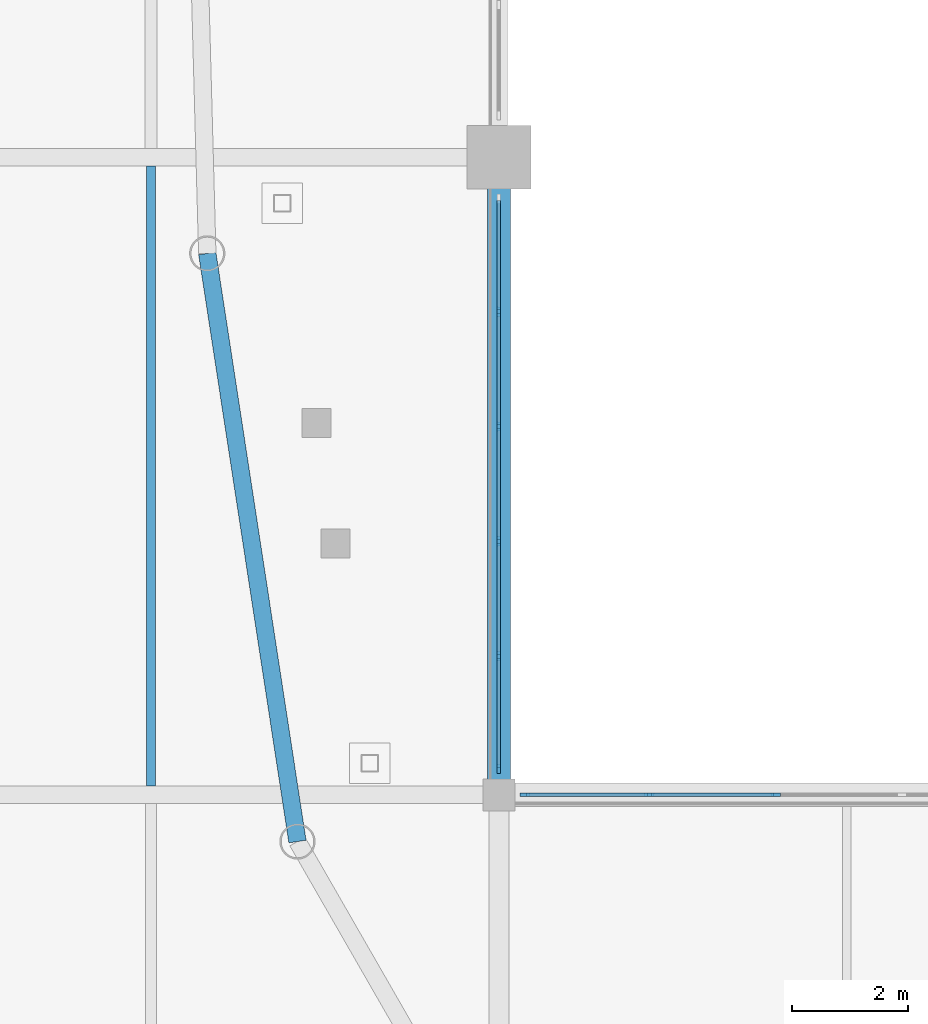
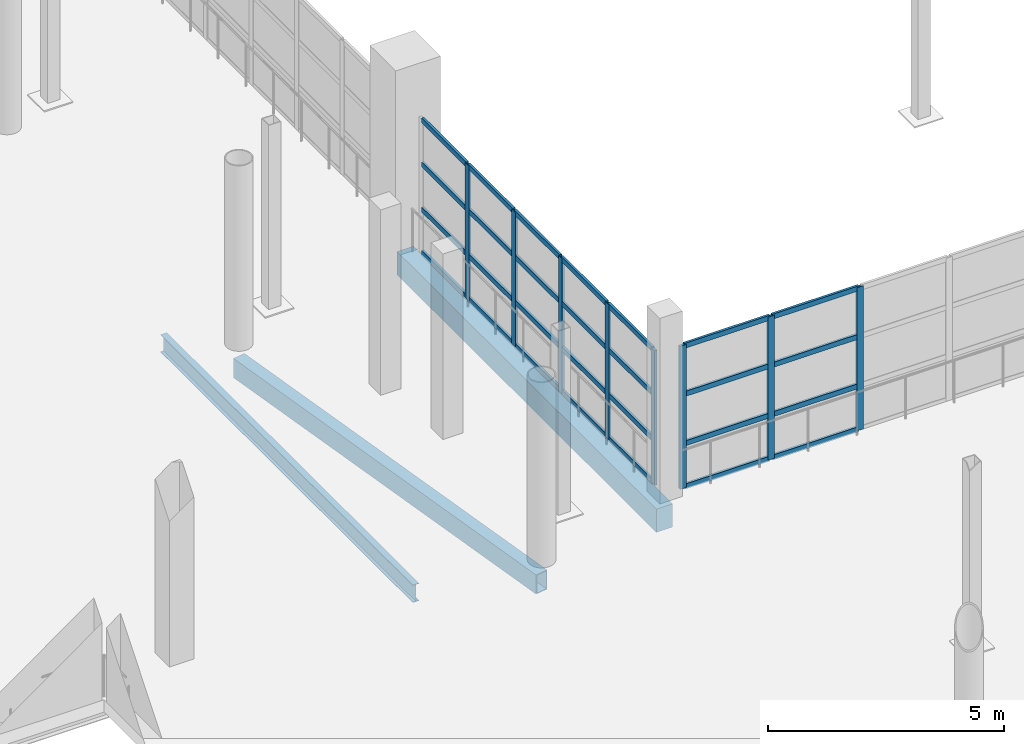
# One storey, part 25 of 143: 36 members, 3 beams, 2 elements without a shape of their own.
"""IFC4 building model written with IfcOpenShell, lengths in metres."""

from ifc_helpers import new_model, si_unit, direction, frame, origin, origin_2d, place, context, subcontext, project, spatial, rectangle, hollow_rectangle, i_section, extrude, material, material_profile, profile_set, type_object, element, aggregate, save


model = new_model("IFC4")

# Units and contexts
model_context = context("Model", 3, precision=1e-05, world=origin(), true_north=direction((0.0, 1.0)))
body_context = subcontext(model_context, "Body", "Model", "MODEL_VIEW")
ifc_project = project(units=[si_unit("LENGTHUNIT", "METRE"), si_unit("AREAUNIT", "SQUARE_METRE"), si_unit("VOLUMEUNIT", "CUBIC_METRE"), si_unit("PLANEANGLEUNIT", "RADIAN"), si_unit("MASSUNIT", "GRAM", prefix="KILO")], contexts=[model_context])

# Site, building, storey
site_placement = place(None, origin())
site = spatial("IfcSite", under=ifc_project, at=site_placement, CompositionType="ELEMENT")
building_placement = place(site_placement, origin())
building = spatial("IfcBuilding", under=site, at=building_placement, Name="Luwafu Chhajja Arena", CompositionType="ELEMENT")
storey_placement = place(building_placement, frame((0.0, 0.0, 5.39990234375)))
storey = spatial("IfcBuildingStorey", under=building, at=storey_placement, Name="L01", CompositionType="ELEMENT", Elevation=5.39990234375)

# Curtain wall, members
ifc_material_1 = material(Name="Anodised bronze aluminium", Category="aluminium")
curtain_wall_type = type_object("IfcCurtainWallType", Name="Bowl Concourse Chord Curtain Wall", PredefinedType="USERDEFINED", material=ifc_material_1)
curtain_wall_1_placement = place(storey_placement, origin())
curtain_wall_1 = element("IfcCurtainWall", 1, at=curtain_wall_1_placement, inside=storey, type_object=curtain_wall_type, Name="L01 Bowl Viewing Curtain Wall CWR-L01-01", ObjectType="CURTAIN WALL", PredefinedType="USERDEFINED")
ifc_material_profile_1 = material_profile(ifc_material_1, rectangle(XDim=0.06005859375, YDim=0.159912109375, at=origin_2d()), Name="CWM 60x160")
ifc_profile_set_1 = profile_set([ifc_material_profile_1], Name="Anodised bronze aluminium")
member_type_1 = type_object("IfcMemberType", Name="Bronze Curtain Wall Mullion 60x160", PredefinedType="MULLION", material=ifc_profile_set_1)
member_1_placement = place(storey_placement, frame((58.445068359375, 22.0, 0.0), z_axis=(0.0, 0.0, 1.0), x_axis=(0.0, 1.0, 0.0)))
member_1 = element("IfcMember", 2, at=member_1_placement, type_object=member_type_1, Name="CW-01 mullion 1", PredefinedType="MULLION", context=body_context, shape_type="SweptSolid", body=[
    extrude(rectangle(XDim=0.06005859375, YDim=0.159912109375, at=origin_2d()), origin(), (0.0, 0.0, 1.0), 3.70654296875),
])
member_2_placement = place(storey_placement, frame((60.593994140625, 22.0, 0.0), z_axis=(0.0, 0.0, 1.0), x_axis=(0.0, 1.0, 0.0)))
member_2 = element("IfcMember", 3, at=member_2_placement, type_object=member_type_1, Name="CW-01 mullion 2", PredefinedType="MULLION", context=body_context, shape_type="SweptSolid", body=[
    extrude(rectangle(XDim=0.06005859375, YDim=0.159912109375, at=origin_2d()), origin(), (0.0, 0.0, 1.0), 3.70654296875),
])
member_3_placement = place(storey_placement, frame((62.77294921875, 22.0, 0.0), z_axis=(0.0, 0.0, 1.0), x_axis=(0.0, 1.0, 0.0)))
member_3 = element("IfcMember", 4, at=member_3_placement, type_object=member_type_1, Name="CW-01 mullion 3", PredefinedType="MULLION", context=body_context, shape_type="SweptSolid", body=[
    extrude(rectangle(XDim=0.06005859375, YDim=0.159912109375, at=origin_2d()), origin(), (0.0, 0.0, 1.0), 3.70654296875),
])

curtain_wall_2_placement = place(storey_placement, origin())
curtain_wall_2 = element("IfcCurtainWall", 5, at=curtain_wall_2_placement, inside=storey, type_object=curtain_wall_type, Name="L01 Bowl Viewing Curtain Wall CWR-L01-15", ObjectType="CURTAIN WALL", PredefinedType="USERDEFINED")
member_4_placement = place(storey_placement, frame((58.0, 22.445068359375, 0.0), z_axis=(0.0, 0.0, 1.0), x_axis=(-1.0, 0.0, 0.0)))
member_4 = element("IfcMember", 6, at=member_4_placement, type_object=member_type_1, Name="CW-01 mullion 1", PredefinedType="MULLION", context=body_context, shape_type="SweptSolid", body=[
    extrude(rectangle(XDim=0.06005859375, YDim=0.159912109375, at=origin_2d()), origin(), (0.0, 0.0, 1.0), 3.489990234375),
])
member_5_placement = place(storey_placement, frame((58.0, 24.39404296875, 0.0), z_axis=(0.0, 0.0, 1.0), x_axis=(-1.0, 0.0, 0.0)))
member_5 = element("IfcMember", 7, at=member_5_placement, type_object=member_type_1, Name="CW-01 mullion 2", PredefinedType="MULLION", context=body_context, shape_type="SweptSolid", body=[
    extrude(rectangle(XDim=0.06005859375, YDim=0.159912109375, at=origin_2d()), origin(), (0.0, 0.0, 1.0), 3.489990234375),
])
member_6_placement = place(storey_placement, frame((58.0, 26.373046875, 0.0), z_axis=(0.0, 0.0, 1.0), x_axis=(-1.0, 0.0, 0.0)))
member_6 = element("IfcMember", 8, at=member_6_placement, type_object=member_type_1, Name="CW-01 mullion 3", PredefinedType="MULLION", context=body_context, shape_type="SweptSolid", body=[
    extrude(rectangle(XDim=0.06005859375, YDim=0.159912109375, at=origin_2d()), origin(), (0.0, 0.0, 1.0), 3.489990234375),
])
member_7_placement = place(storey_placement, frame((58.0, 28.35205078125, 0.0), z_axis=(0.0, 0.0, 1.0), x_axis=(-1.0, 0.0, 0.0)))
member_7 = element("IfcMember", 9, at=member_7_placement, type_object=member_type_1, Name="CW-01 mullion 4", PredefinedType="MULLION", context=body_context, shape_type="SweptSolid", body=[
    extrude(rectangle(XDim=0.06005859375, YDim=0.159912109375, at=origin_2d()), origin(), (0.0, 0.0, 1.0), 3.489990234375),
])
member_8_placement = place(storey_placement, frame((58.0, 30.3310546875, 0.0), z_axis=(0.0, 0.0, 1.0), x_axis=(-1.0, 0.0, 0.0)))
member_8 = element("IfcMember", 10, at=member_8_placement, type_object=member_type_1, Name="CW-01 mullion 5", PredefinedType="MULLION", context=body_context, shape_type="SweptSolid", body=[
    extrude(rectangle(XDim=0.06005859375, YDim=0.159912109375, at=origin_2d()), origin(), (0.0, 0.0, 1.0), 3.489990234375),
])

# Member
ifc_material_profile_2 = material_profile(ifc_material_1, rectangle(XDim=0.06005859375, YDim=0.1298828125, at=origin_2d()), Name="CWT 60x130")
ifc_profile_set_2 = profile_set([ifc_material_profile_2], Name="Anodised bronze aluminium")
member_type_2 = type_object("IfcMemberType", Name="Bronze Curtain Wall Transom 60x130", PredefinedType="USERDEFINED", material=ifc_profile_set_2)
member_9_placement = place(storey_placement, frame((58.47509765625, 22.0, 0.030029296875), z_axis=(1.0, 0.0, 0.0), x_axis=(0.0, 1.0, 0.0)))
member_9 = element("IfcMember", 11, at=member_9_placement, type_object=member_type_2, Name="CW-01 transom 1.1", ObjectType="TRANSOM", PredefinedType="USERDEFINED", context=body_context, shape_type="SweptSolid", body=[
    extrude(rectangle(XDim=0.06005859375, YDim=0.1298828125, at=origin_2d()), origin(), (0.0, 0.0, 1.0), 2.0888671875),
])

member_10_placement = place(storey_placement, frame((58.47509765625, 22.0, 1.150146484375), z_axis=(1.0, 0.0, 0.0), x_axis=(0.0, 1.0, 0.0)))
member_10 = element("IfcMember", 12, at=member_10_placement, type_object=member_type_2, Name="CW-01 transom 1.2", ObjectType="TRANSOM", PredefinedType="USERDEFINED", context=body_context, shape_type="SweptSolid", body=[
    extrude(rectangle(XDim=0.06005859375, YDim=0.1298828125, at=origin_2d()), origin(), (0.0, 0.0, 1.0), 2.0888671875),
])

member_11_placement = place(storey_placement, frame((58.47509765625, 22.0, 2.428466796875), z_axis=(1.0, 0.0, 0.0), x_axis=(0.0, 1.0, 0.0)))
member_11 = element("IfcMember", 13, at=member_11_placement, type_object=member_type_2, Name="CW-01 transom 1.3", ObjectType="TRANSOM", PredefinedType="USERDEFINED", context=body_context, shape_type="SweptSolid", body=[
    extrude(rectangle(XDim=0.06005859375, YDim=0.1298828125, at=origin_2d()), origin(), (0.0, 0.0, 1.0), 2.0888671875),
])

member_12_placement = place(storey_placement, frame((58.47509765625, 22.0, 3.676513671875), z_axis=(1.0, 0.0, 0.0), x_axis=(0.0, 1.0, 0.0)))
member_12 = element("IfcMember", 14, at=member_12_placement, type_object=member_type_2, Name="CW-01 transom 1.4", ObjectType="TRANSOM", PredefinedType="USERDEFINED", context=body_context, shape_type="SweptSolid", body=[
    extrude(rectangle(XDim=0.06005859375, YDim=0.1298828125, at=origin_2d()), origin(), (0.0, 0.0, 1.0), 2.0888671875),
])

member_13_placement = place(storey_placement, frame((60.6240234375, 22.0, 0.030029296875), z_axis=(1.0, 0.0, 0.0), x_axis=(0.0, 1.0, 0.0)))
member_13 = element("IfcMember", 15, at=member_13_placement, type_object=member_type_2, Name="CW-01 transom 2.1", ObjectType="TRANSOM", PredefinedType="USERDEFINED", context=body_context, shape_type="SweptSolid", body=[
    extrude(rectangle(XDim=0.06005859375, YDim=0.1298828125, at=origin_2d()), origin(), (0.0, 0.0, 1.0), 2.118896484375),
])

member_14_placement = place(storey_placement, frame((60.6240234375, 22.0, 1.150146484375), z_axis=(1.0, 0.0, 0.0), x_axis=(0.0, 1.0, 0.0)))
member_14 = element("IfcMember", 16, at=member_14_placement, type_object=member_type_2, Name="CW-01 transom 2.2", ObjectType="TRANSOM", PredefinedType="USERDEFINED", context=body_context, shape_type="SweptSolid", body=[
    extrude(rectangle(XDim=0.06005859375, YDim=0.1298828125, at=origin_2d()), origin(), (0.0, 0.0, 1.0), 2.118896484375),
])

member_15_placement = place(storey_placement, frame((60.6240234375, 22.0, 2.428466796875), z_axis=(1.0, 0.0, 0.0), x_axis=(0.0, 1.0, 0.0)))
member_15 = element("IfcMember", 17, at=member_15_placement, type_object=member_type_2, Name="CW-01 transom 2.3", ObjectType="TRANSOM", PredefinedType="USERDEFINED", context=body_context, shape_type="SweptSolid", body=[
    extrude(rectangle(XDim=0.06005859375, YDim=0.1298828125, at=origin_2d()), origin(), (0.0, 0.0, 1.0), 2.118896484375),
])

member_16_placement = place(storey_placement, frame((60.6240234375, 22.0, 3.676513671875), z_axis=(1.0, 0.0, 0.0), x_axis=(0.0, 1.0, 0.0)))
member_16 = element("IfcMember", 18, at=member_16_placement, type_object=member_type_2, Name="CW-01 transom 2.4", ObjectType="TRANSOM", PredefinedType="USERDEFINED", context=body_context, shape_type="SweptSolid", body=[
    extrude(rectangle(XDim=0.06005859375, YDim=0.1298828125, at=origin_2d()), origin(), (0.0, 0.0, 1.0), 2.118896484375),
])

aggregate(curtain_wall_1, [member_1, member_2, member_3, member_9, member_10, member_11, member_12, member_13, member_14, member_15, member_16])

member_17_placement = place(storey_placement, frame((58.0, 22.47509765625, 0.030029296875), z_axis=(0.0, 1.0, 0.0), x_axis=(-1.0, 0.0, 0.0)))
member_17 = element("IfcMember", 19, at=member_17_placement, type_object=member_type_2, Name="CW-01 transom 1.1", ObjectType="TRANSOM", PredefinedType="USERDEFINED", context=body_context, shape_type="SweptSolid", body=[
    extrude(rectangle(XDim=0.06005859375, YDim=0.1298828125, at=origin_2d()), origin(), (0.0, 0.0, 1.0), 1.888916015625),
])

member_18_placement = place(storey_placement, frame((58.0, 22.47509765625, 1.150146484375), z_axis=(0.0, 1.0, 0.0), x_axis=(-1.0, 0.0, 0.0)))
member_18 = element("IfcMember", 20, at=member_18_placement, type_object=member_type_2, Name="CW-01 transom 1.2", ObjectType="TRANSOM", PredefinedType="USERDEFINED", context=body_context, shape_type="SweptSolid", body=[
    extrude(rectangle(XDim=0.06005859375, YDim=0.1298828125, at=origin_2d()), origin(), (0.0, 0.0, 1.0), 1.888916015625),
])

member_19_placement = place(storey_placement, frame((58.0, 22.47509765625, 2.320068359375), z_axis=(0.0, 1.0, 0.0), x_axis=(-1.0, 0.0, 0.0)))
member_19 = element("IfcMember", 21, at=member_19_placement, type_object=member_type_2, Name="CW-01 transom 1.3", ObjectType="TRANSOM", PredefinedType="USERDEFINED", context=body_context, shape_type="SweptSolid", body=[
    extrude(rectangle(XDim=0.06005859375, YDim=0.1298828125, at=origin_2d()), origin(), (0.0, 0.0, 1.0), 1.888916015625),
])

member_20_placement = place(storey_placement, frame((58.0, 22.47509765625, 3.460205078125), z_axis=(0.0, 1.0, 0.0), x_axis=(-1.0, 0.0, 0.0)))
member_20 = element("IfcMember", 22, at=member_20_placement, type_object=member_type_2, Name="CW-01 transom 1.4", ObjectType="TRANSOM", PredefinedType="USERDEFINED", context=body_context, shape_type="SweptSolid", body=[
    extrude(rectangle(XDim=0.06005859375, YDim=0.1298828125, at=origin_2d()), origin(), (0.0, 0.0, 1.0), 1.888916015625),
])

member_21_placement = place(storey_placement, frame((58.0, 24.424072265625, 0.030029296875), z_axis=(0.0, 1.0, 0.0), x_axis=(-1.0, 0.0, 0.0)))
member_21 = element("IfcMember", 23, at=member_21_placement, type_object=member_type_2, Name="CW-01 transom 2.1", ObjectType="TRANSOM", PredefinedType="USERDEFINED", context=body_context, shape_type="SweptSolid", body=[
    extrude(rectangle(XDim=0.06005859375, YDim=0.1298828125, at=origin_2d()), origin(), (0.0, 0.0, 1.0), 1.9189453125),
])

member_22_placement = place(storey_placement, frame((58.0, 24.424072265625, 1.150146484375), z_axis=(0.0, 1.0, 0.0), x_axis=(-1.0, 0.0, 0.0)))
member_22 = element("IfcMember", 24, at=member_22_placement, type_object=member_type_2, Name="CW-01 transom 2.2", ObjectType="TRANSOM", PredefinedType="USERDEFINED", context=body_context, shape_type="SweptSolid", body=[
    extrude(rectangle(XDim=0.06005859375, YDim=0.1298828125, at=origin_2d()), origin(), (0.0, 0.0, 1.0), 1.9189453125),
])

member_23_placement = place(storey_placement, frame((58.0, 24.424072265625, 2.320068359375), z_axis=(0.0, 1.0, 0.0), x_axis=(-1.0, 0.0, 0.0)))
member_23 = element("IfcMember", 25, at=member_23_placement, type_object=member_type_2, Name="CW-01 transom 2.3", ObjectType="TRANSOM", PredefinedType="USERDEFINED", context=body_context, shape_type="SweptSolid", body=[
    extrude(rectangle(XDim=0.06005859375, YDim=0.1298828125, at=origin_2d()), origin(), (0.0, 0.0, 1.0), 1.9189453125),
])

member_24_placement = place(storey_placement, frame((58.0, 24.424072265625, 3.460205078125), z_axis=(0.0, 1.0, 0.0), x_axis=(-1.0, 0.0, 0.0)))
member_24 = element("IfcMember", 26, at=member_24_placement, type_object=member_type_2, Name="CW-01 transom 2.4", ObjectType="TRANSOM", PredefinedType="USERDEFINED", context=body_context, shape_type="SweptSolid", body=[
    extrude(rectangle(XDim=0.06005859375, YDim=0.1298828125, at=origin_2d()), origin(), (0.0, 0.0, 1.0), 1.9189453125),
])

member_25_placement = place(storey_placement, frame((58.0, 26.403076171875, 0.030029296875), z_axis=(0.0, 1.0, 0.0), x_axis=(-1.0, 0.0, 0.0)))
member_25 = element("IfcMember", 27, at=member_25_placement, type_object=member_type_2, Name="CW-01 transom 3.1", ObjectType="TRANSOM", PredefinedType="USERDEFINED", context=body_context, shape_type="SweptSolid", body=[
    extrude(rectangle(XDim=0.06005859375, YDim=0.1298828125, at=origin_2d()), origin(), (0.0, 0.0, 1.0), 1.9189453125),
])

member_26_placement = place(storey_placement, frame((58.0, 26.403076171875, 1.150146484375), z_axis=(0.0, 1.0, 0.0), x_axis=(-1.0, 0.0, 0.0)))
member_26 = element("IfcMember", 28, at=member_26_placement, type_object=member_type_2, Name="CW-01 transom 3.2", ObjectType="TRANSOM", PredefinedType="USERDEFINED", context=body_context, shape_type="SweptSolid", body=[
    extrude(rectangle(XDim=0.06005859375, YDim=0.1298828125, at=origin_2d()), origin(), (0.0, 0.0, 1.0), 1.9189453125),
])

member_27_placement = place(storey_placement, frame((58.0, 26.403076171875, 2.320068359375), z_axis=(0.0, 1.0, 0.0), x_axis=(-1.0, 0.0, 0.0)))
member_27 = element("IfcMember", 29, at=member_27_placement, type_object=member_type_2, Name="CW-01 transom 3.3", ObjectType="TRANSOM", PredefinedType="USERDEFINED", context=body_context, shape_type="SweptSolid", body=[
    extrude(rectangle(XDim=0.06005859375, YDim=0.1298828125, at=origin_2d()), origin(), (0.0, 0.0, 1.0), 1.9189453125),
])

member_28_placement = place(storey_placement, frame((58.0, 26.403076171875, 3.460205078125), z_axis=(0.0, 1.0, 0.0), x_axis=(-1.0, 0.0, 0.0)))
member_28 = element("IfcMember", 30, at=member_28_placement, type_object=member_type_2, Name="CW-01 transom 3.4", ObjectType="TRANSOM", PredefinedType="USERDEFINED", context=body_context, shape_type="SweptSolid", body=[
    extrude(rectangle(XDim=0.06005859375, YDim=0.1298828125, at=origin_2d()), origin(), (0.0, 0.0, 1.0), 1.9189453125),
])

member_29_placement = place(storey_placement, frame((58.0, 28.382080078125, 0.030029296875), z_axis=(0.0, 1.0, 0.0), x_axis=(-1.0, 0.0, 0.0)))
member_29 = element("IfcMember", 31, at=member_29_placement, type_object=member_type_2, Name="CW-01 transom 4.1", ObjectType="TRANSOM", PredefinedType="USERDEFINED", context=body_context, shape_type="SweptSolid", body=[
    extrude(rectangle(XDim=0.06005859375, YDim=0.1298828125, at=origin_2d()), origin(), (0.0, 0.0, 1.0), 1.9189453125),
])

member_30_placement = place(storey_placement, frame((58.0, 28.382080078125, 1.150146484375), z_axis=(0.0, 1.0, 0.0), x_axis=(-1.0, 0.0, 0.0)))
member_30 = element("IfcMember", 32, at=member_30_placement, type_object=member_type_2, Name="CW-01 transom 4.2", ObjectType="TRANSOM", PredefinedType="USERDEFINED", context=body_context, shape_type="SweptSolid", body=[
    extrude(rectangle(XDim=0.06005859375, YDim=0.1298828125, at=origin_2d()), origin(), (0.0, 0.0, 1.0), 1.9189453125),
])

member_31_placement = place(storey_placement, frame((58.0, 28.382080078125, 2.320068359375), z_axis=(0.0, 1.0, 0.0), x_axis=(-1.0, 0.0, 0.0)))
member_31 = element("IfcMember", 33, at=member_31_placement, type_object=member_type_2, Name="CW-01 transom 4.3", ObjectType="TRANSOM", PredefinedType="USERDEFINED", context=body_context, shape_type="SweptSolid", body=[
    extrude(rectangle(XDim=0.06005859375, YDim=0.1298828125, at=origin_2d()), origin(), (0.0, 0.0, 1.0), 1.9189453125),
])

member_32_placement = place(storey_placement, frame((58.0, 28.382080078125, 3.460205078125), z_axis=(0.0, 1.0, 0.0), x_axis=(-1.0, 0.0, 0.0)))
member_32 = element("IfcMember", 34, at=member_32_placement, type_object=member_type_2, Name="CW-01 transom 4.4", ObjectType="TRANSOM", PredefinedType="USERDEFINED", context=body_context, shape_type="SweptSolid", body=[
    extrude(rectangle(XDim=0.06005859375, YDim=0.1298828125, at=origin_2d()), origin(), (0.0, 0.0, 1.0), 1.9189453125),
])

member_33_placement = place(storey_placement, frame((58.0, 30.361083984375, 0.030029296875), z_axis=(0.0, 1.0, 0.0), x_axis=(-1.0, 0.0, 0.0)))
member_33 = element("IfcMember", 35, at=member_33_placement, type_object=member_type_2, Name="CW-01 transom 5.1", ObjectType="TRANSOM", PredefinedType="USERDEFINED", context=body_context, shape_type="SweptSolid", body=[
    extrude(rectangle(XDim=0.06005859375, YDim=0.1298828125, at=origin_2d()), origin(), (0.0, 0.0, 1.0), 1.888916015625),
])

member_34_placement = place(storey_placement, frame((58.0, 30.361083984375, 1.150146484375), z_axis=(0.0, 1.0, 0.0), x_axis=(-1.0, 0.0, 0.0)))
member_34 = element("IfcMember", 36, at=member_34_placement, type_object=member_type_2, Name="CW-01 transom 5.2", ObjectType="TRANSOM", PredefinedType="USERDEFINED", context=body_context, shape_type="SweptSolid", body=[
    extrude(rectangle(XDim=0.06005859375, YDim=0.1298828125, at=origin_2d()), origin(), (0.0, 0.0, 1.0), 1.888916015625),
])

member_35_placement = place(storey_placement, frame((58.0, 30.361083984375, 2.320068359375), z_axis=(0.0, 1.0, 0.0), x_axis=(-1.0, 0.0, 0.0)))
member_35 = element("IfcMember", 37, at=member_35_placement, type_object=member_type_2, Name="CW-01 transom 5.3", ObjectType="TRANSOM", PredefinedType="USERDEFINED", context=body_context, shape_type="SweptSolid", body=[
    extrude(rectangle(XDim=0.06005859375, YDim=0.1298828125, at=origin_2d()), origin(), (0.0, 0.0, 1.0), 1.888916015625),
])

member_36_placement = place(storey_placement, frame((58.0, 30.361083984375, 3.460205078125), z_axis=(0.0, 1.0, 0.0), x_axis=(-1.0, 0.0, 0.0)))
member_36 = element("IfcMember", 38, at=member_36_placement, type_object=member_type_2, Name="CW-01 transom 5.4", ObjectType="TRANSOM", PredefinedType="USERDEFINED", context=body_context, shape_type="SweptSolid", body=[
    extrude(rectangle(XDim=0.06005859375, YDim=0.1298828125, at=origin_2d()), origin(), (0.0, 0.0, 1.0), 1.888916015625),
])

aggregate(curtain_wall_2, [member_4, member_5, member_6, member_7, member_8, member_17, member_18, member_19, member_20, member_21, member_22, member_23, member_24, member_25, member_26, member_27, member_28, member_29, member_30, member_31, member_32, member_33, member_34, member_35, member_36])

# Beams
ifc_material_2 = material(Name="Steel S355", Category="steel")
ifc_material_profile_3 = material_profile(ifc_material_2, i_section(OverallWidth=0.15283203125, OverallDepth=0.45458984375, WebThickness=0.008056640625, FlangeThickness=0.01318359375, at=origin_2d()), Name="UB 457x152x60")
ifc_profile_set_3 = profile_set([ifc_material_profile_3], Name="Steel S355")
beam_type_1 = type_object("IfcBeamType", Name="Floor Joist UB 457x152x60", PredefinedType="JOIST", material=ifc_profile_set_3)
beam_1_placement = place(storey_placement, frame((52.0, 22.14990234375, -0.55712890625), z_axis=(0.0, 1.0, 0.0), x_axis=(-1.0, 0.0, 0.0)))
element("IfcBeam", 39, at=beam_1_placement, inside=storey, type_object=beam_type_1, Name="L01 Secondary Joist 5-6/C", PredefinedType="JOIST", context=body_context, shape_type="SweptSolid", body=[
    extrude(i_section(OverallWidth=0.15283203125, OverallDepth=0.45458984375, WebThickness=0.008056640625, FlangeThickness=0.01318359375, at=origin_2d()), origin(), (0.0, 0.0, 1.0), 10.7001953125),
])
ifc_material_profile_4 = material_profile(ifc_material_2, hollow_rectangle(XDim=0.300048828125, YDim=0.5, WallThickness=0.02001953125, at=origin_2d()), Name="RHS 500x300x20")
ifc_profile_set_4 = profile_set([ifc_material_profile_4], Name="Steel S355")
beam_type_2 = type_object("IfcBeamType", Name="Pleated Drum Spandrel Beam RHS 500x300", PredefinedType="SPANDREL", material=ifc_profile_set_4)
beam_2_placement = place(storey_placement, frame((52.968017578125, 31.3388671875, -0.579833984375), z_axis=(0.1515977802, -0.988442265911, 0.0), x_axis=(0.988442265911, 0.1515977802, 0.0)))
element("IfcBeam", 40, at=beam_2_placement, inside=storey, type_object=beam_type_2, Name="L01 Drum Ring Spandrel D19-D20", PredefinedType="SPANDREL", context=body_context, shape_type="SweptSolid", body=[
    extrude(hollow_rectangle(XDim=0.300048828125, YDim=0.5, WallThickness=0.02001953125, at=origin_2d()), origin(), (0.0, 0.0, 1.0), 10.263427734375),
])
ifc_material_3 = material(Name="Concrete C35/45", Category="concrete")
ifc_material_profile_5 = material_profile(ifc_material_3, rectangle(XDim=0.39990234375, YDim=0.60009765625, at=origin_2d()), Name="RC 400x600")
ifc_profile_set_5 = profile_set([ifc_material_profile_5], Name="Concrete C35/45")
beam_type_3 = type_object("IfcBeamType", Name="Podium Perimeter Spandrel RC 400x600", PredefinedType="SPANDREL", material=ifc_profile_set_5)
beam_3_placement = place(storey_placement, frame((58.0, 22.0, -0.6298828125), z_axis=(0.0, 1.0, 0.0), x_axis=(-1.0, 0.0, 0.0)))
element("IfcBeam", 41, at=beam_3_placement, inside=storey, type_object=beam_type_3, Name="L01 Grid Beam 6/C-D", PredefinedType="SPANDREL", context=body_context, shape_type="SweptSolid", body=[
    extrude(rectangle(XDim=0.39990234375, YDim=0.60009765625, at=origin_2d()), origin(), (0.0, 0.0, 1.0), 11.0),
])

save(model, "model.ifc")
